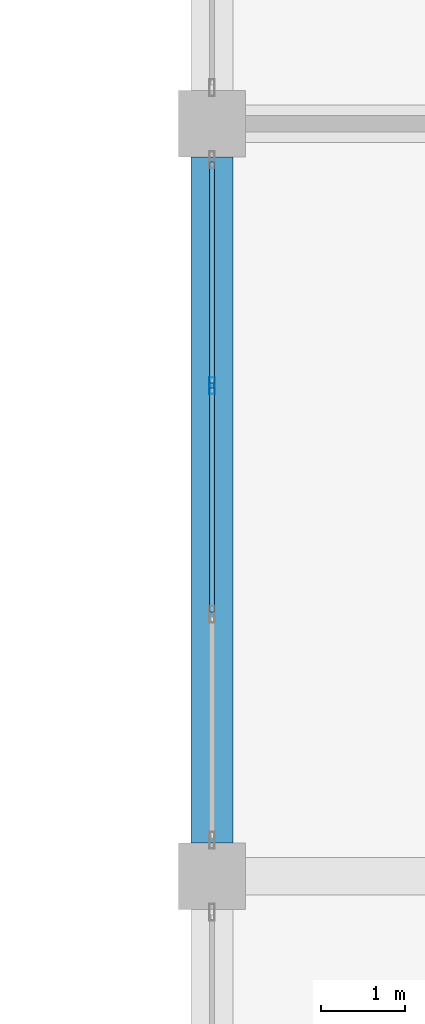
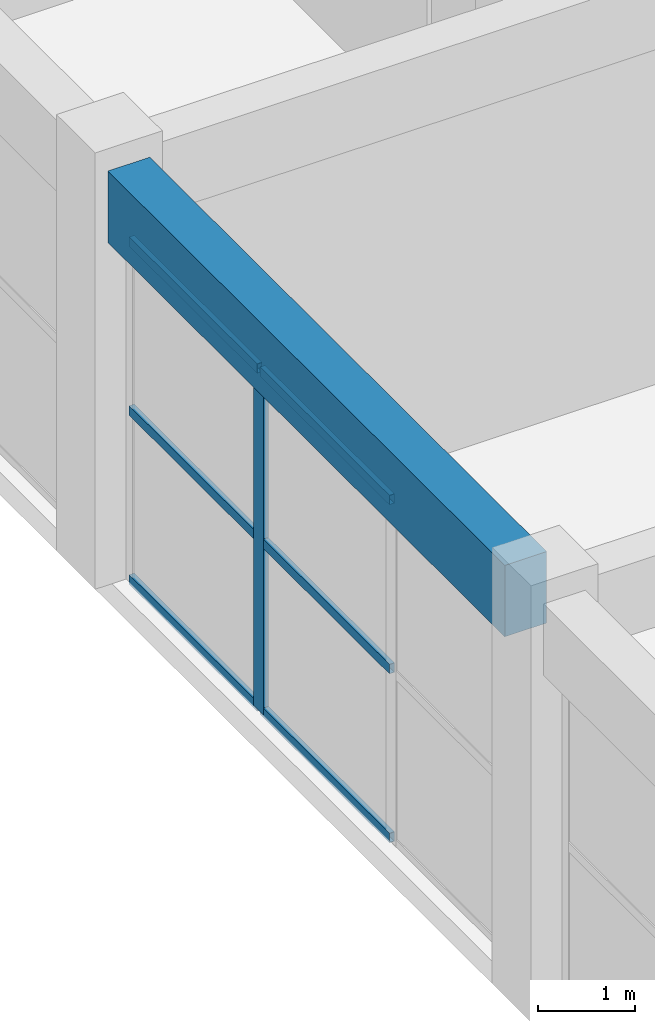
# One storey, part 75 of 185: 7 members, 1 beam, 1 element without a shape of its own.
"""IFC4 building model written with IfcOpenShell, lengths in metres."""

import ifcopenshell
import ifcopenshell.guid

model = None  # the IFC model being written
_history = None  # IfcOwnerHistory: only IFC2X3 demands one
_inside = {}  # id of a spatial element -> (the spatial element, [elements in it])
_under = {}  # id of a project, library or spatial element -> (it, [spatial elements below it])
_declared = {}  # id of a project -> (the project, [libraries it declares])
_typed = {}  # id of a type object -> (the type object, [elements of that type])
_made_of = {}  # id of a material, layer set ... -> (it, [elements and type objects made of it])


def new_model(schema):
    """Start an empty IFC model of exactly this schema.

    Asked for "IFC4X3", IfcOpenShell would pick the latest addendum, in which some entities
    have other attributes; the version numbers below select the first issue.
    IFC2X3 requires an IfcOwnerHistory on every rooted entity: one is made here for all.
    """
    global model, _history
    if schema == "IFC4X3":
        model = ifcopenshell.file(schema_version=(4, 3, 0, 0))
    else:
        model = ifcopenshell.file(schema=schema)
    _inside.clear()
    _under.clear()
    _declared.clear()
    _typed.clear()
    _made_of.clear()
    _history = None
    if model.schema == "IFC2X3":
        org = make("IfcOrganization", Name="unknown")
        user = make(
            "IfcPersonAndOrganization",
            ThePerson=make("IfcPerson", FamilyName="unknown"),
            TheOrganization=org,
        )
        app = make(
            "IfcApplication",
            ApplicationDeveloper=org,
            Version="unknown",
            ApplicationFullName="unknown",
            ApplicationIdentifier="unknown",
        )
        _history = make(
            "IfcOwnerHistory",
            OwningUser=user,
            OwningApplication=app,
            ChangeAction="ADDED",
            CreationDate=0,
        )
    return model


def make(cls, **values):
    """One entity of the class cls with the attributes given. An attribute that is None is left unset."""
    return model.create_entity(
        cls, **{name: value for name, value in values.items() if value is not None}
    )


def rooted(cls, **values):
    """An entity with a GlobalId (a new one), such as an element, a storey or a relation."""
    return make(cls, GlobalId=ifcopenshell.guid.new(), OwnerHistory=_history, **values)


def si_unit(unit_type, name, prefix=None):
    """IfcSIUnit, for example si_unit("LENGTHUNIT", "METRE", prefix="MILLI")."""
    return make("IfcSIUnit", UnitType=unit_type, Prefix=prefix, Name=name)


def assignment(units):
    """IfcUnitAssignment: the units of a project."""
    return None if units is None else make("IfcUnitAssignment", Units=units)


def point(xyz):
    """IfcCartesianPoint."""
    return None if xyz is None else make("IfcCartesianPoint", Coordinates=xyz)


def direction(xyz):
    """IfcDirection."""
    return None if xyz is None else make("IfcDirection", DirectionRatios=xyz)


def frame(location, z_axis=None, x_axis=None):
    """IfcAxis2Placement3D, a coordinate frame: its origin and axes. An axis left out is left unset."""
    return make(
        "IfcAxis2Placement3D",
        Location=point(location),
        Axis=direction(z_axis),
        RefDirection=direction(x_axis),
    )


def frame_2d(location, x_axis=None):
    """IfcAxis2Placement2D, a coordinate frame in the plane: its origin and x axis."""
    return make(
        "IfcAxis2Placement2D", Location=point(location), RefDirection=direction(x_axis)
    )


def origin():
    """The frame at (0, 0, 0) with its axes left unset."""
    return frame((0.0, 0.0, 0.0))


def origin_2d():
    """The frame at (0, 0) in the plane with its x axis left unset."""
    return frame_2d((0.0, 0.0))


def place(relative_to, where):
    """IfcLocalPlacement: puts the frame where relative to a parent placement (None: the world)."""
    return make(
        "IfcLocalPlacement", PlacementRelTo=relative_to, RelativePlacement=where
    )


def context(
    kind, dimensions, precision=None, world=None, true_north=None, identifier=None
):
    """IfcGeometricRepresentationContext, for example the 3D "Model" context."""
    return make(
        "IfcGeometricRepresentationContext",
        ContextIdentifier=identifier,
        ContextType=kind,
        CoordinateSpaceDimension=dimensions,
        Precision=precision,
        WorldCoordinateSystem=world,
        TrueNorth=true_north,
    )


def subcontext(parent, identifier, kind, view, scale=None):
    """IfcGeometricRepresentationSubContext, for example "Body" below "Model"."""
    return make(
        "IfcGeometricRepresentationSubContext",
        ContextIdentifier=identifier,
        ContextType=kind,
        ParentContext=parent,
        TargetScale=scale,
        TargetView=view,
    )


def project(units=None, contexts=None):
    """IfcProject with its units and contexts."""
    return rooted(
        "IfcProject",
        Name="project",
        RepresentationContexts=contexts,
        UnitsInContext=assignment(units),
    )


def spatial(cls, under=None, at=None, **own):
    """A site, building, storey or space (cls), placed at a placement, below another one or the project."""
    s = rooted(cls, ObjectPlacement=at, **own)
    if under is not None:
        _under.setdefault(under.id(), (under, []))[1].append(s)
    return s


def profile(cls, at=None, kind="AREA", **sizes):
    """A parametric profile (cls). Its sizes go by their IFC names, for example OverallWidth=200.0."""
    return make(cls, ProfileType=kind, Position=at, **sizes)


def rectangle(**sizes):
    """IfcRectangleProfileDef."""
    return profile("IfcRectangleProfileDef", **sizes)


def hollow_rectangle(**sizes):
    """IfcRectangleHollowProfileDef."""
    return profile("IfcRectangleHollowProfileDef", **sizes)


def extrude(swept, where, along, depth):
    """IfcExtrudedAreaSolid: the profile swept, set in the frame where, extruded along a direction by depth."""
    return make(
        "IfcExtrudedAreaSolid",
        SweptArea=swept,
        Position=where,
        ExtrudedDirection=direction(along),
        Depth=depth,
    )


def shape(context_of_items, identifier, shape_type, items):
    """IfcShapeRepresentation: the items that make up one representation, for example the "Body"."""
    return make(
        "IfcShapeRepresentation",
        ContextOfItems=context_of_items,
        RepresentationIdentifier=identifier,
        RepresentationType=shape_type,
        Items=items,
    )


def material(Name=None, Category=None):
    """IfcMaterial."""
    return make("IfcMaterial", Name=Name, Category=Category)


def layer(
    of_material, thickness, ventilated=None, Name=None, Category=None, Priority=None
):
    """IfcMaterialLayer: one layer of a wall or slab, of a material (None: an air gap)."""
    return make(
        "IfcMaterialLayer",
        Material=of_material,
        LayerThickness=thickness,
        IsVentilated=ventilated,
        Name=Name,
        Category=Category,
        Priority=Priority,
    )


def layer_set(layers, Name=None):
    """IfcMaterialLayerSet."""
    return make("IfcMaterialLayerSet", MaterialLayers=layers, LayerSetName=Name)


def material_profile(
    of_material, cross_section, Name=None, Category=None, Priority=None
):
    """IfcMaterialProfile: a cross section and its material."""
    return make(
        "IfcMaterialProfile",
        Name=Name,
        Material=of_material,
        Profile=cross_section,
        Priority=Priority,
        Category=Category,
    )


def profile_set(profiles, Name=None, composite=None):
    """IfcMaterialProfileSet."""
    return make(
        "IfcMaterialProfileSet",
        Name=Name,
        MaterialProfiles=profiles,
        CompositeProfile=composite,
    )


def made_of(thing, what):
    """Note that an element or type object is made of a material, layer set ...; save() writes the relation."""
    if what is not None:
        _made_of.setdefault(what.id(), (what, []))[1].append(thing)
    return thing


def type_object(cls, material=None, **own):
    """A type object (cls), such as IfcWallType, which elements share."""
    return made_of(rooted(cls, **own), material)


def element(
    cls,
    number,
    at=None,
    inside=None,
    cuts=None,
    type_object=None,
    material=None,
    context=None,
    identifier="Body",
    shape_type=None,
    held_by="IfcProductDefinitionShape",
    body=None,
    shapes=None,
    **own,
):
    """One element of the class cls, such as IfcWall. Its Tag is "e" and its number.

    at: its placement. inside: the storey or other place that contains it. cuts: it is an
    opening in that element (IfcRelVoidsElement). A single representation is given by context,
    identifier, shape_type and body (its items); several are given by shapes. held_by: the class
    of the entity that holds the representations. save() writes the other relations.
    """
    e = rooted(cls, Tag="e%d" % number, ObjectPlacement=at, **own)
    if body is not None:
        shapes = [shape(context, identifier, shape_type, body)]
    if shapes is not None:
        e.Representation = make(held_by, Representations=shapes)
    if inside is not None:
        _inside.setdefault(inside.id(), (inside, []))[1].append(e)
    if cuts is not None:
        rooted(
            "IfcRelVoidsElement", RelatingBuildingElement=cuts, RelatedOpeningElement=e
        )
    if type_object is not None:
        _typed.setdefault(type_object.id(), (type_object, []))[1].append(e)
    return made_of(e, material)


def aggregate(whole, parts):
    """IfcRelAggregates: a whole, such as a stair, and the parts it consists of."""
    return rooted("IfcRelAggregates", RelatingObject=whole, RelatedObjects=parts)


def save(model, path):
    """Write the relations noted so far, then the file.

    IfcRelAggregates (storeys below a building ...), IfcRelContainedInSpatialStructure (elements
    in a storey), IfcRelDefinesByType, IfcRelAssociatesMaterial and IfcRelDeclares: one each for
    every whole, place, type object, material and project.
    """
    for whole, parts in _under.values():
        aggregate(whole, parts)
    for where, things in _inside.values():
        rooted(
            "IfcRelContainedInSpatialStructure",
            RelatedElements=things,
            RelatingStructure=where,
        )
    for kind, things in _typed.values():
        rooted("IfcRelDefinesByType", RelatedObjects=things, RelatingType=kind)
    for what, things in _made_of.values():
        rooted("IfcRelAssociatesMaterial", RelatedObjects=things, RelatingMaterial=what)
    for by, libraries in _declared.values():
        rooted("IfcRelDeclares", RelatingContext=by, RelatedDefinitions=libraries)
    model.write(path)


model = new_model("IFC4")

# Units and contexts
model_context = context("Model", 3, precision=1e-05, world=origin(), true_north=direction((0.0, 1.0)))
body_context = subcontext(model_context, "Body", "Model", "MODEL_VIEW")
ifc_project = project(units=[si_unit("LENGTHUNIT", "METRE"), si_unit("AREAUNIT", "SQUARE_METRE"), si_unit("VOLUMEUNIT", "CUBIC_METRE"), si_unit("PLANEANGLEUNIT", "RADIAN"), si_unit("MASSUNIT", "GRAM", prefix="KILO")], contexts=[model_context])

# Site, building, storey
site_placement = place(None, origin())
site = spatial("IfcSite", under=ifc_project, at=site_placement, CompositionType="ELEMENT")
building_placement = place(site_placement, origin())
building = spatial("IfcBuilding", under=site, at=building_placement, Name="Opaline Strait Convention Centre", CompositionType="ELEMENT")
storey_placement = place(building_placement, frame((0.0, 0.0, 6.0)))
storey = spatial("IfcBuildingStorey", under=building, at=storey_placement, Name="L01", CompositionType="ELEMENT", Elevation=6.0)

# Curtain wall, members
ifc_material_1 = material(Name="Aluminium framed double glazing", Category="aluminium")
ifc_layer = layer(ifc_material_1, 0.199951171875)
ifc_layer_set = layer_set([ifc_layer], Name="Aluminium framed double glazing")
curtain_wall_type = type_object("IfcCurtainWallType", Name="Curtain wall 3000 module unitised", PredefinedType="NOTDEFINED", material=ifc_layer_set)
curtain_wall_placement = place(storey_placement, origin())
curtain_wall = element("IfcCurtainWall", 1, at=curtain_wall_placement, inside=storey, type_object=curtain_wall_type, Name="Curtain wall W L01 32/S", PredefinedType="NOTDEFINED")
ifc_material_2 = material(Name="Aluminium alloy 6063", Category="aluminium")
ifc_material_profile_1 = material_profile(ifc_material_2, hollow_rectangle(XDim=0.06005859375, YDim=0.199951171875, WallThickness=0.00390625, at=origin_2d()), Name="MULLION 60x200x4")
ifc_profile_set_1 = profile_set([ifc_material_profile_1], Name="Aluminium alloy 6063")
member_type_1 = type_object("IfcMemberType", Name="Curtain wall mullion 60 x 200", PredefinedType="MULLION", material=ifc_profile_set_1)
member_1_placement = place(storey_placement, frame((279.0, 149.86669921875, 0.0), z_axis=(0.0, 0.0, 1.0), x_axis=(-1.0, 0.0, 0.0)))
member_1 = element("IfcMember", 2, at=member_1_placement, type_object=member_type_1, Name="MCWR1 mullion 3", PredefinedType="MULLION", context=body_context, shape_type="SweptSolid", body=[
    extrude(hollow_rectangle(XDim=0.06005859375, YDim=0.199951171875, WallThickness=0.00390625, at=origin_2d()), origin(), (0.0, 0.0, 1.0), 4.320068359375),
])
ifc_material_profile_2 = material_profile(ifc_material_2, hollow_rectangle(XDim=0.06005859375, YDim=0.1201171875, WallThickness=0.0029296875, at=origin_2d()), Name="TRANSOM 60x120x3")
ifc_profile_set_2 = profile_set([ifc_material_profile_2], Name="Aluminium alloy 6063")
member_type_2 = type_object("IfcMemberType", Name="Curtain wall transom 60 x 120", PredefinedType="USERDEFINED", material=ifc_profile_set_2)
member_2_placement = place(storey_placement, frame((279.0, 147.163330078125, 0.030029296875), z_axis=(0.0, 1.0, 0.0), x_axis=(-1.0, 0.0, 0.0)))
member_2 = element("IfcMember", 3, at=member_2_placement, type_object=member_type_2, Name="MCWR1 transom 2.1", ObjectType="TRANSOM", PredefinedType="USERDEFINED", context=body_context, shape_type="SweptSolid", body=[
    extrude(hollow_rectangle(XDim=0.06005859375, YDim=0.1201171875, WallThickness=0.0029296875, at=origin_2d()), origin(), (0.0, 0.0, 1.0), 2.67333984375),
])
member_3_placement = place(storey_placement, frame((279.0, 147.163330078125, 2.159912109375), z_axis=(0.0, 1.0, 0.0), x_axis=(-1.0, 0.0, 0.0)))
member_3 = element("IfcMember", 4, at=member_3_placement, type_object=member_type_2, Name="MCWR1 transom 2.2", ObjectType="TRANSOM", PredefinedType="USERDEFINED", context=body_context, shape_type="SweptSolid", body=[
    extrude(hollow_rectangle(XDim=0.06005859375, YDim=0.1201171875, WallThickness=0.0029296875, at=origin_2d()), origin(), (0.0, 0.0, 1.0), 2.67333984375),
])
member_4_placement = place(storey_placement, frame((279.0, 147.163330078125, 4.2900390625), z_axis=(0.0, 1.0, 0.0), x_axis=(-1.0, 0.0, 0.0)))
member_4 = element("IfcMember", 5, at=member_4_placement, type_object=member_type_2, Name="MCWR1 transom 2.3", ObjectType="TRANSOM", PredefinedType="USERDEFINED", context=body_context, shape_type="SweptSolid", body=[
    extrude(hollow_rectangle(XDim=0.06005859375, YDim=0.1201171875, WallThickness=0.0029296875, at=origin_2d()), origin(), (0.0, 0.0, 1.0), 2.67333984375),
])
member_5_placement = place(storey_placement, frame((279.0, 149.896728515625, 0.030029296875), z_axis=(0.0, 1.0, 0.0), x_axis=(-1.0, 0.0, 0.0)))
member_5 = element("IfcMember", 6, at=member_5_placement, type_object=member_type_2, Name="MCWR1 transom 3.1", ObjectType="TRANSOM", PredefinedType="USERDEFINED", context=body_context, shape_type="SweptSolid", body=[
    extrude(hollow_rectangle(XDim=0.06005859375, YDim=0.1201171875, WallThickness=0.0029296875, at=origin_2d()), origin(), (0.0, 0.0, 1.0), 2.643310546875),
])
member_6_placement = place(storey_placement, frame((279.0, 149.896728515625, 2.159912109375), z_axis=(0.0, 1.0, 0.0), x_axis=(-1.0, 0.0, 0.0)))
member_6 = element("IfcMember", 7, at=member_6_placement, type_object=member_type_2, Name="MCWR1 transom 3.2", ObjectType="TRANSOM", PredefinedType="USERDEFINED", context=body_context, shape_type="SweptSolid", body=[
    extrude(hollow_rectangle(XDim=0.06005859375, YDim=0.1201171875, WallThickness=0.0029296875, at=origin_2d()), origin(), (0.0, 0.0, 1.0), 2.643310546875),
])
member_7_placement = place(storey_placement, frame((279.0, 149.896728515625, 4.2900390625), z_axis=(0.0, 1.0, 0.0), x_axis=(-1.0, 0.0, 0.0)))
member_7 = element("IfcMember", 8, at=member_7_placement, type_object=member_type_2, Name="MCWR1 transom 3.3", ObjectType="TRANSOM", PredefinedType="USERDEFINED", context=body_context, shape_type="SweptSolid", body=[
    extrude(hollow_rectangle(XDim=0.06005859375, YDim=0.1201171875, WallThickness=0.0029296875, at=origin_2d()), origin(), (0.0, 0.0, 1.0), 2.643310546875),
])
aggregate(curtain_wall, [member_1, member_2, member_3, member_4, member_5, member_6, member_7])

# Beam
ifc_material_3 = material(Name="Concrete C35", Category="concrete")
ifc_material_profile_3 = material_profile(ifc_material_3, rectangle(XDim=0.5, YDim=0.89990234375, at=origin_2d()), Name="RC 500x900")
ifc_profile_set_3 = profile_set([ifc_material_profile_3], Name="Concrete C35")
beam_type = type_object("IfcBeamType", Name="RC edge beam 500x900 C35", PredefinedType="BEAM", material=ifc_profile_set_3)
beam_placement = place(storey_placement, frame((279.0, 144.39990234375, 4.77001953125), z_axis=(0.0, 1.0, 0.0), x_axis=(-1.0, 0.0, 0.0)))
element("IfcBeam", 9, at=beam_placement, inside=storey, type_object=beam_type, Name="MRB2 L01 32/S-32/T", PredefinedType="BEAM", context=body_context, shape_type="SweptSolid", body=[
    extrude(rectangle(XDim=0.5, YDim=0.89990234375, at=origin_2d()), origin(), (0.0, 0.0, 1.0), 8.2001953125),
])

save(model, "model.ifc")
